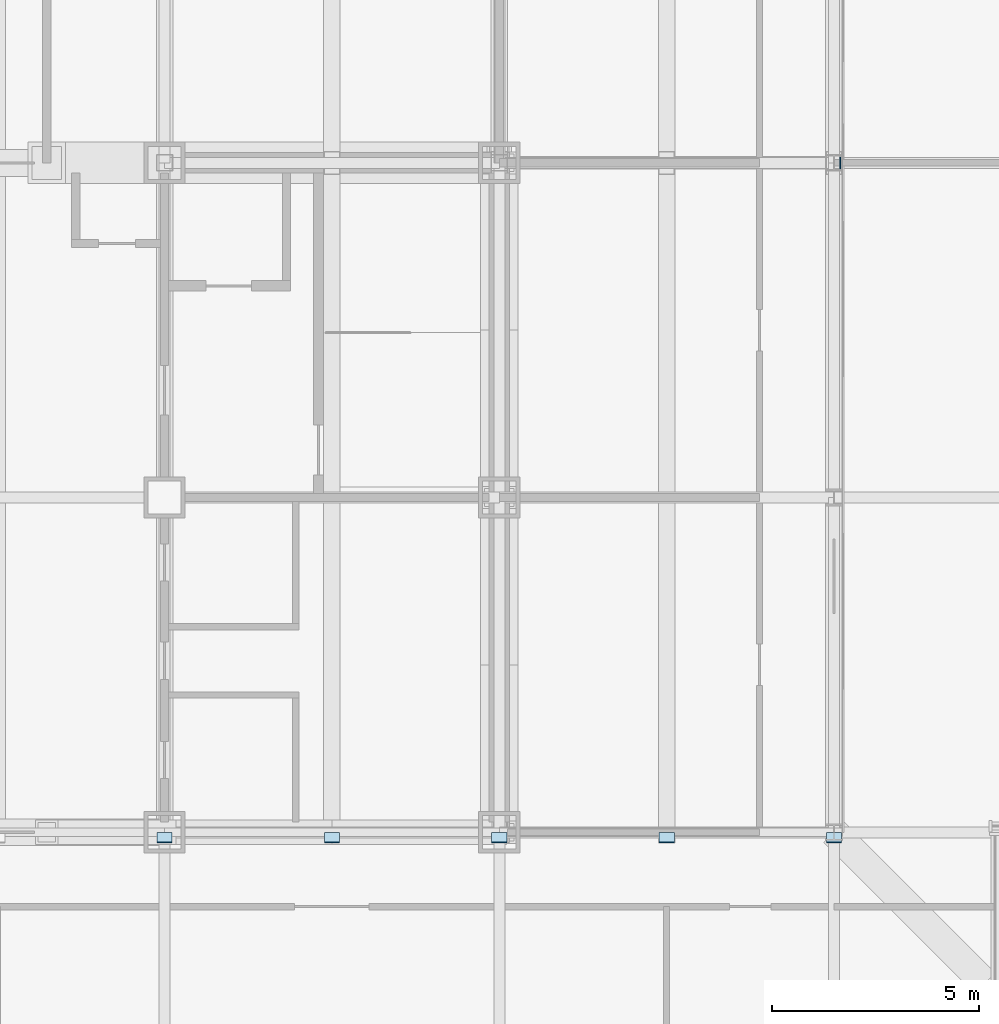
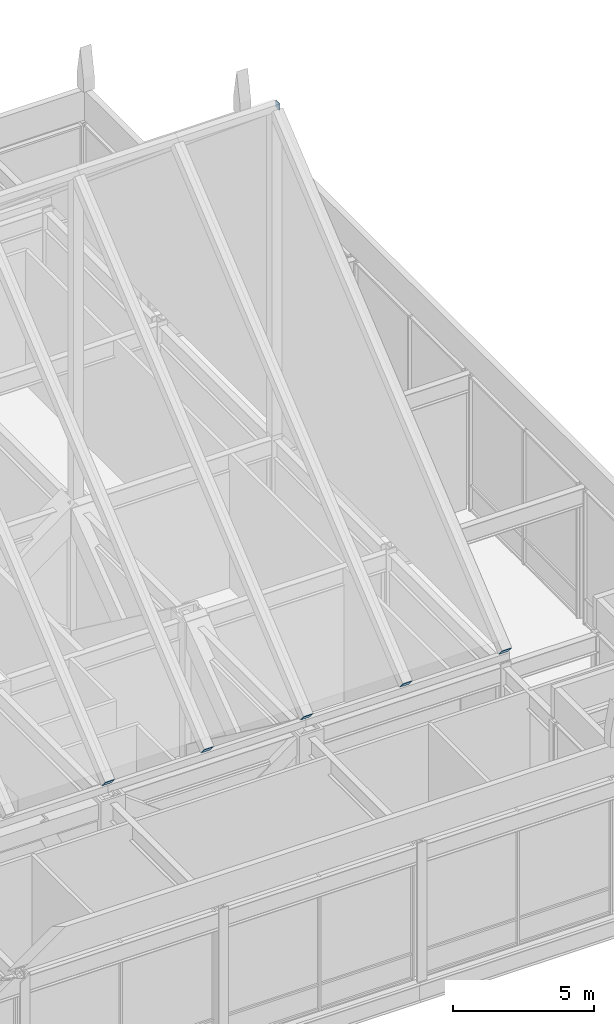
# One storey, part 18 of 22: 6 plates.
"""IFC4 building model written with IfcOpenShell, lengths in metres."""

from ifc_helpers import new_model, si_unit, direction, frame, origin, origin_2d, place, context, subcontext, project, spatial, polyline, rectangle, outline, extrude, material, layer, layer_set, type_object, element, save


model = new_model("IFC4")

# Units and contexts
model_context = context("Model", 3, precision=1e-05, world=origin(), true_north=direction((0.0, 1.0)))
body_context = subcontext(model_context, "Body", "Model", "MODEL_VIEW")
ifc_project = project(units=[si_unit("LENGTHUNIT", "METRE"), si_unit("AREAUNIT", "SQUARE_METRE"), si_unit("VOLUMEUNIT", "CUBIC_METRE"), si_unit("PLANEANGLEUNIT", "RADIAN"), si_unit("MASSUNIT", "GRAM", prefix="KILO")], contexts=[model_context])

# Site, building, storey
site_placement = place(None, origin())
site = spatial("IfcSite", under=ifc_project, at=site_placement, CompositionType="ELEMENT")
building_placement = place(site_placement, origin())
building = spatial("IfcBuilding", under=site, at=building_placement, Name="Kopane Lantern Tower", CompositionType="ELEMENT")
storey_placement = place(building_placement, frame((0.0, 0.0, 303.89990234375)))
storey = spatial("IfcBuildingStorey", under=building, at=storey_placement, Name="L77", CompositionType="ELEMENT", Elevation=303.89990234375)

# Plates
ifc_material = material(Name="Steel S355JR", Category="steel")
ifc_layer = layer(ifc_material, 0.02490234375)
ifc_layer_set = layer_set([ifc_layer], Name="STEEL END CAP PLATE PL25")
plate_type = type_object("IfcPlateType", Name="STEEL END CAP PLATE PL25", PredefinedType="USERDEFINED", material=ifc_layer_set)
plate_1_placement = place(storey_placement, frame((32.215576171875, 24.06298828125, 6.603271484375), z_axis=(0.0, 0.76816609319, 0.64025061755), x_axis=(1.0, 0.0, 0.0)))
element("IfcPlate", 1, at=plate_1_placement, inside=storey, type_object=plate_type, Name="Lantern rafter end cap plate S", ObjectType="PLATE", PredefinedType="USERDEFINED", context=body_context, shape_type="SweptSolid", body=[
    extrude(outline(polyline([(0.0, 0.0), (0.368896484375, 0.0), (0.368896484375, 0.3626357054736039), (0.0, 0.3626357054736039), (0.0, 0.0)])), origin(), (0.0, 0.0, -1.0), 0.02490234375),
])
for number, where, z_axis, x_axis, name in (
    (2, (36.265380859375, 24.06298828125, 6.603271484375), (0.0, 0.76816609319, 0.64025061755), (1.0, 0.0, 0.0), "Lantern rafter end cap plate S"),
    (3, (40.3154296875, 24.06298828125, 6.603271484375), (0.0, 0.76816609319, 0.64025061755), (1.0, 0.0, 0.0), "Lantern rafter end cap plate S"),
    (4, (44.365478515625, 24.06298828125, 6.603271484375), (0.0, 0.76816609319, 0.64025061755), (1.0, 0.0, 0.0), "Lantern rafter end cap plate S"),
):
    element("IfcPlate", number, at=place(storey_placement, frame(where, z_axis=z_axis, x_axis=x_axis)), inside=storey, type_object=plate_type, Name=name, ObjectType="PLATE", PredefinedType="USERDEFINED", context=body_context, shape_type="SweptSolid", body=[
        extrude(outline(polyline([(0.0, 0.0), (0.369140625, 0.0), (0.369140625, 0.36263570547360385), (0.0, 0.36263570547360385), (0.0, 0.0)])), origin(), (0.0, 0.0, -1.0), 0.02490234375),
    ])
plate_2_placement = place(storey_placement, frame((48.41552734375, 24.06298828125, 6.603271484375), z_axis=(0.0, 0.76816609319, 0.64025061755), x_axis=(1.0, 0.0, 0.0)))
element("IfcPlate", 5, at=plate_2_placement, inside=storey, type_object=plate_type, Name="Lantern rafter end cap plate S", ObjectType="PLATE", PredefinedType="USERDEFINED", context=body_context, shape_type="SweptSolid", body=[
    extrude(outline(polyline([(0.0, 0.0), (0.368896484375, 0.0), (0.368896484375, 0.3626357054736039), (0.0, 0.3626357054736039), (0.0, 0.0)])), origin(), (0.0, 0.0, -1.0), 0.02490234375),
])
plate_3_placement = place(storey_placement, frame((48.75048828125, 40.5, 19.907958984375), z_axis=(0.0, 0.0, 1.0), x_axis=(1.0, 0.0, 0.0)))
element("IfcPlate", 6, at=plate_3_placement, inside=storey, type_object=plate_type, Name="Lantern ridge end cap plate E", ObjectType="PLATE", PredefinedType="USERDEFINED", context=body_context, shape_type="SweptSolid", body=[
    extrude(rectangle(XDim=0.02490234375, YDim=0.27587890625, at=origin_2d()), origin(), (0.0, 0.0, 1.0), 0.27587890625),
])

save(model, "model.ifc")
